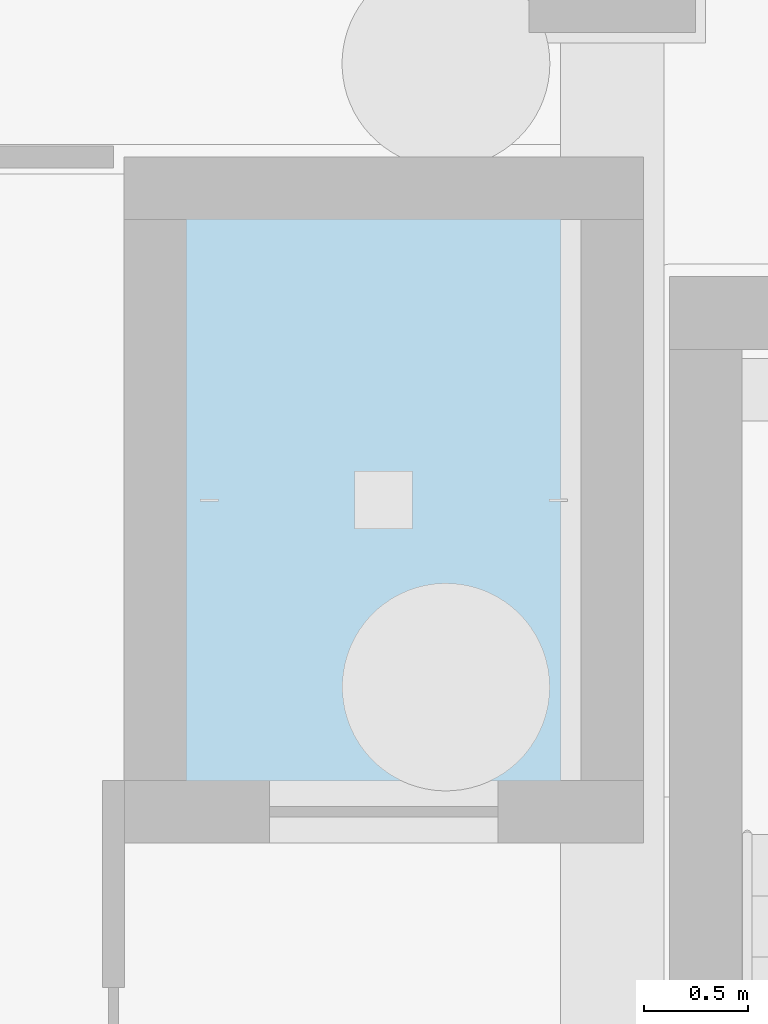
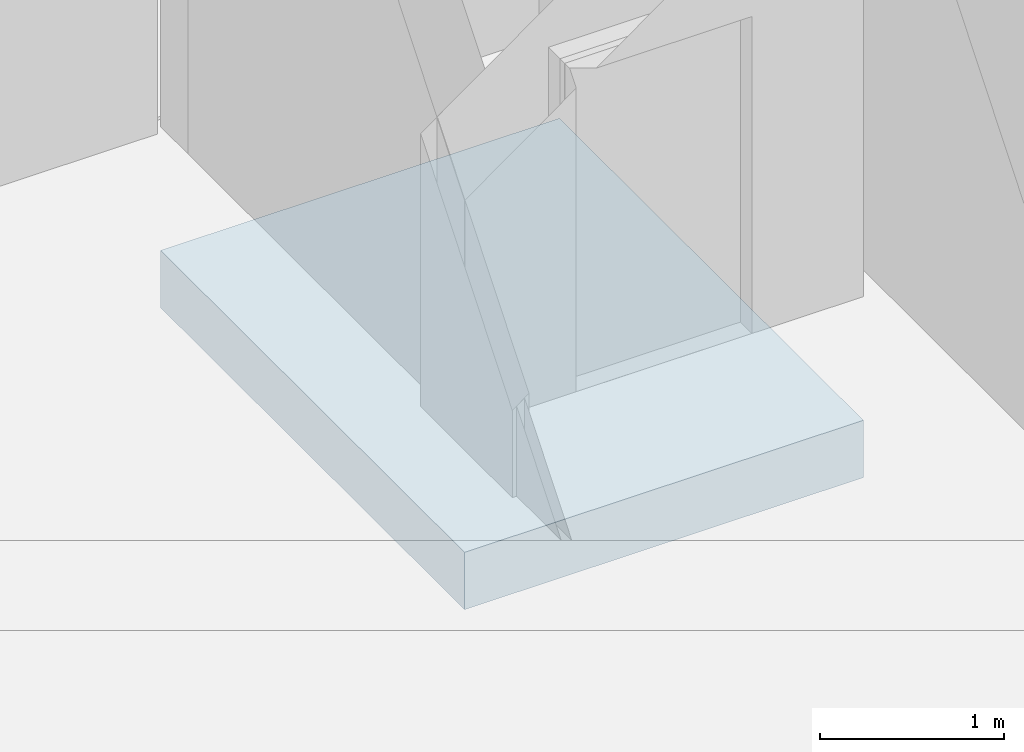
# One storey, part 24 of 44: 1 slab.
"""IFC4 building model written with IfcOpenShell, lengths in metres."""

from ifc_helpers import new_model, si_unit, direction, frame, origin, place, context, subcontext, project, spatial, polyline, outline, extrude, material, layer, layer_set, type_object, element, save


model = new_model("IFC4")

# Units and contexts
model_context = context("Model", 3, precision=1e-05, world=origin(), true_north=direction((0.0, 1.0)))
body_context = subcontext(model_context, "Body", "Model", "MODEL_VIEW")
ifc_project = project(units=[si_unit("LENGTHUNIT", "METRE"), si_unit("AREAUNIT", "SQUARE_METRE"), si_unit("VOLUMEUNIT", "CUBIC_METRE"), si_unit("PLANEANGLEUNIT", "RADIAN"), si_unit("MASSUNIT", "GRAM", prefix="KILO")], contexts=[model_context])

# Site, building, storey
site_placement = place(None, origin())
site = spatial("IfcSite", under=ifc_project, at=site_placement, CompositionType="ELEMENT")
building_placement = place(site_placement, origin())
building = spatial("IfcBuilding", under=site, at=building_placement, Name="Kolvaren Faculty of Natural Sciences", CompositionType="ELEMENT")
storey_placement = place(building_placement, frame((0.0, 0.0, -4.5)))
storey = spatial("IfcBuildingStorey", under=building, at=storey_placement, Name="B01", CompositionType="ELEMENT", Elevation=-4.5)

# Slab
ifc_material = material(Name="Concrete C35/45", Category="concrete")
ifc_layer = layer(ifc_material, 0.3798828125)
ifc_layer_set = layer_set([ifc_layer], Name="Concrete C35/45")
slab_type = type_object("IfcSlabType", Name="LiftPitSlab_380", PredefinedType="BASESLAB", material=ifc_layer_set)
slab_placement = place(storey_placement, frame((0.0, 0.0, -1.199951171875)))
element("IfcSlab", 1, at=slab_placement, inside=storey, type_object=slab_type, Name="Lift FL-2 reinforced concrete pit base slab", PredefinedType="BASESLAB", context=body_context, shape_type="SweptSolid", body=[
    extrude(outline(polyline([(149.64990234375, 71.5), (152.14990234375, 71.5), (152.14990234375, 74.800048828125), (149.64990234375, 74.800048828125), (149.64990234375, 71.5)])), origin(), (0.0, 0.0, 1.0), 0.3798828125),
])

save(model, "model.ifc")
